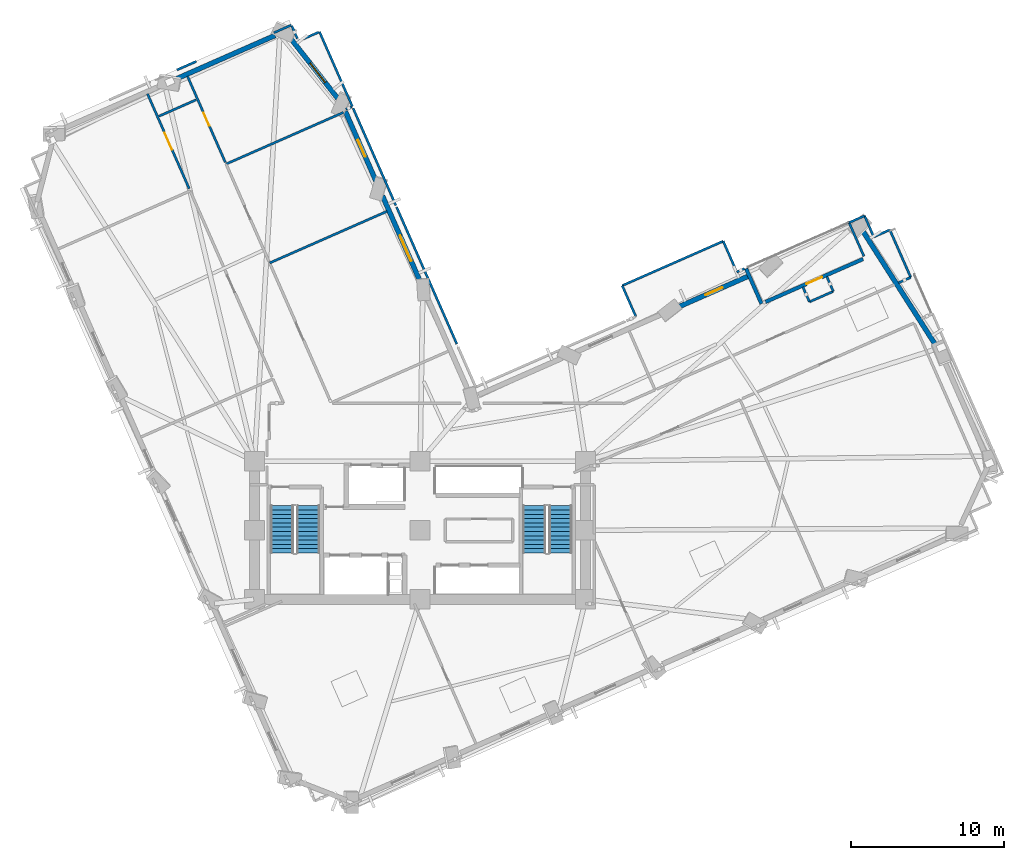
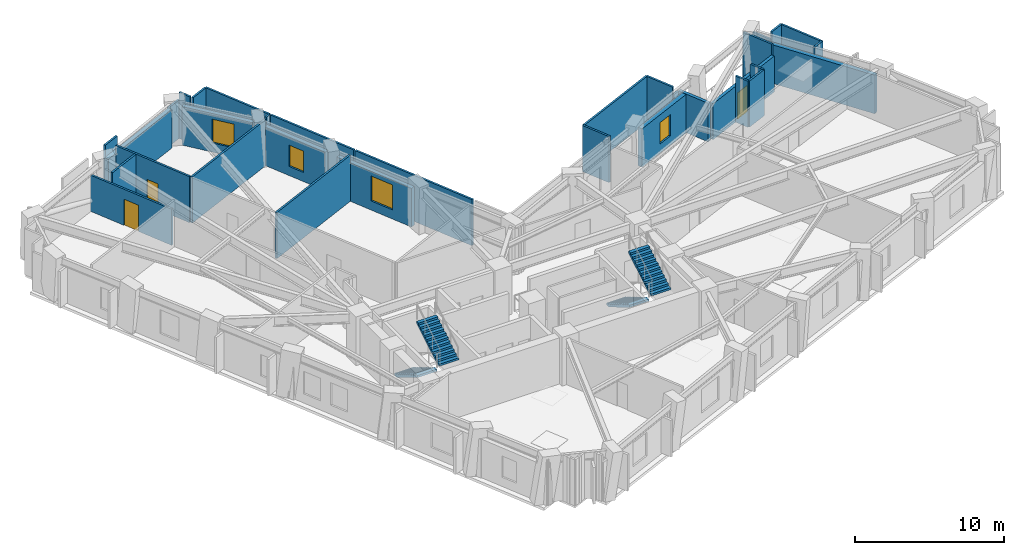
# One storey, part 10 of 15: 34 walls, 4 stair flights, 4 windows, 3 doors, 7 openings, 2 elements without a shape of their own.
"""IFC4 building model written with IfcOpenShell, lengths in metres."""

from ifc_helpers import new_model, si_unit, direction, frame, frame_2d, origin, place, context, subcontext, project, spatial, polyline, rectangle, outline, extrude, material, layer, layer_set, type_object, element, fill, aggregate, save


model = new_model("IFC4")

# Units and contexts
model_context = context("Model", 3, precision=1e-05, world=origin(), true_north=direction((0.0, 1.0)))
body_context = subcontext(model_context, "Body", "Model", "MODEL_VIEW")
ifc_project = project(units=[si_unit("LENGTHUNIT", "METRE"), si_unit("AREAUNIT", "SQUARE_METRE"), si_unit("VOLUMEUNIT", "CUBIC_METRE"), si_unit("PLANEANGLEUNIT", "RADIAN"), si_unit("MASSUNIT", "GRAM", prefix="KILO")], contexts=[model_context])

# Site, building, storey
site_placement = place(None, origin())
site = spatial("IfcSite", under=ifc_project, at=site_placement, CompositionType="ELEMENT")
building_placement = place(site_placement, origin())
building = spatial("IfcBuilding", under=site, at=building_placement, Name="Gaonmaruhae Medical Tower", CompositionType="ELEMENT")
storey_placement = place(building_placement, frame((0.0, 0.0, 124.39990234375)))
storey = spatial("IfcBuildingStorey", under=building, at=storey_placement, Name="L29", CompositionType="ELEMENT", Elevation=124.39990234375)

# Wall, opening, door
ifc_material_1 = material(Name="Precast concrete C45/55", Category="concrete")
ifc_layer_1 = layer(ifc_material_1, 0.239990234375)
ifc_layer_set_1 = layer_set([ifc_layer_1], Name="Precast concrete C45/55")
wall_type_1 = type_object("IfcWallType", Name="EW-240 Ribbon & Shelter Insulated Precast Wall", PredefinedType="SOLIDWALL", material=ifc_layer_set_1)
wall_1_placement = place(storey_placement, frame((47.3203125, 27.18798828125, 0.0), z_axis=(0.0, 0.0, 1.0), x_axis=(0.915306756623, 0.402757422378, 0.0)))
wall_1 = element("IfcWall", 1, at=wall_1_placement, inside=storey, type_object=wall_type_1, Name="L29 Recessed Terrace Enclosure Wall TERB", PredefinedType="SOLIDWALL", context=body_context, shape_type="SweptSolid", body=[
    extrude(rectangle(XDim=6.9599609375, YDim=0.239990234375, at=frame_2d((3.47998046875, 0.0))), origin(), (0.0, 0.0, 1.0), 2.945068359375),
])
opening_1_placement = place(wall_1_placement, frame((2.929931640625, 0.0, 0.0)))
opening_1 = element("IfcOpeningElement", 2, at=opening_1_placement, cuts=wall_1, Name="Opening TD-01", PredefinedType="OPENING", context=body_context, shape_type="SweptSolid", body=[
    extrude(rectangle(XDim=1.10009765625, YDim=2.14990234375, at=frame_2d((0.550048828125, 1.074951171875))), frame((0.0, 0.1298828125, 0.0), z_axis=(0.0, -1.0, 0.0), x_axis=(1.0, 0.0, 0.0)), (0.0, 0.0, 1.0), 0.260009765625),
])
ifc_material_2 = material(Name="Anodised aluminium and toughened safety glass", Category="aluminium")
door_type_1 = type_object("IfcDoorType", Name="TD-01 Terrace & Sky Garden Glazed Door 1100x2150", OperationType="NOTDEFINED", PredefinedType="DOOR", material=ifc_material_2)
door_1_placement = place(opening_1_placement, origin())
door_1 = element("IfcDoor", 3, at=door_1_placement, inside=storey, type_object=door_type_1, Name="L29 Outdoor Terrace Access Door SLB-L29-TER", OperationType="SINGLE_SWING_LEFT", OverallHeight=2.14990234375, OverallWidth=1.10009765625, PredefinedType="DOOR", context=body_context, shape_type="SweptSolid", body=[
    extrude(rectangle(XDim=1.10009765625, YDim=2.14990234375, at=frame_2d((0.550048828125, 1.074951171875))), frame((0.0, 0.02490234375, 0.0), z_axis=(0.0, -1.0, 0.0), x_axis=(1.0, 0.0, 0.0)), (0.0, 0.0, 1.0), 0.050048828125),
])
fill(opening_1, door_1)

# Walls
wall_2_placement = place(storey_placement, frame((46.056884765625, 29.363525390625, 0.0), z_axis=(0.0, 0.0, 1.0), x_axis=(0.402810607767, -0.915283351903, 0.0)))
element("IfcWall", 4, at=wall_2_placement, inside=storey, type_object=wall_type_1, Name="L29 Recessed Terrace Enclosure Wall TERL", PredefinedType="SOLIDWALL", context=body_context, shape_type="SweptSolid", body=[
    extrude(rectangle(XDim=2.500244140625, YDim=0.239990234375, at=frame_2d((1.25, 0.0))), origin(), (0.0, 0.0, 1.0), 3.1650390625),
])
ifc_layer_2 = layer(ifc_material_1, 0.320068359375)
ifc_layer_set_2 = layer_set([ifc_layer_2], Name="Precast concrete C45/55")
wall_type_2 = type_object("IfcWallType", Name="EW-320 Lower Precast Masonry-Frame Facade Wall", PredefinedType="SOLIDWALL", material=ifc_layer_set_2)
wall_3_placement = place(storey_placement, frame((53.67626953125, 31.81005859375, 0.0), z_axis=(0.0, 0.0, 1.0), x_axis=(0.537911832646, -0.84300110338, 0.0)))
element("IfcWall", 5, at=wall_3_placement, inside=storey, type_object=wall_type_2, Name="L29 Precast Masonry-Frame Wall E02-E03", PredefinedType="SOLIDWALL", context=body_context, shape_type="SweptSolid", body=[
    extrude(rectangle(XDim=8.837646484375, YDim=0.320068359375, at=frame_2d((4.4189453125, 0.0))), origin(), (0.0, 0.0, 1.0), 3.1650390625),
])

# Wall, opening, window
wall_4_placement = place(storey_placement, frame((41.560302734375, 26.82763671875, 0.0), z_axis=(0.0, 0.0, 1.0), x_axis=(0.915304479766, 0.402762596726, 0.0)))
wall_4 = element("IfcWall", 6, at=wall_4_placement, inside=storey, type_object=wall_type_2, Name="L29 Precast Masonry-Frame Wall EN01-EN02", PredefinedType="SOLIDWALL", context=body_context, shape_type="SweptSolid", body=[
    extrude(rectangle(XDim=5.1171875, YDim=0.320068359375, at=frame_2d((2.55859375, 0.0))), origin(), (0.0, 0.0, 1.0), 3.14501953125),
])
opening_2_placement = place(wall_4_placement, frame((2.034423828125, 0.0, 0.75)))
opening_2 = element("IfcOpeningElement", 7, at=opening_2_placement, cuts=wall_4, Name="Opening WN-05", PredefinedType="OPENING", context=body_context, shape_type="SweptSolid", body=[
    extrude(rectangle(XDim=1.199951171875, YDim=1.75, at=frame_2d((0.60009765625, 0.875))), frame((0.0, 0.169921875, 0.0), z_axis=(0.0, -1.0, 0.0), x_axis=(1.0, 0.0, 0.0)), (0.0, 0.0, 1.0), 0.340087890625),
])
ifc_material_3 = material(Name="Anodised aluminium and Low-E double glazing", Category="aluminium")
window_type_1 = type_object("IfcWindowType", Name="WN-05 Support & Staff Punched Window 1200x1750", PartitioningType="SINGLE_PANEL", PredefinedType="WINDOW", material=ifc_material_3)
window_1_placement = place(opening_2_placement, origin())
window_1 = element("IfcWindow", 8, at=window_1_placement, inside=storey, type_object=window_type_1, Name="L29 Modular Facade Window EN01", OverallHeight=1.75, OverallWidth=1.199951171875, PartitioningType="SINGLE_PANEL", PredefinedType="WINDOW", context=body_context, shape_type="SweptSolid", body=[
    extrude(rectangle(XDim=1.199951171875, YDim=1.75, at=frame_2d((0.60009765625, 0.875))), frame((0.0, 0.030029296875, 0.0), z_axis=(0.0, -1.0, 0.0), x_axis=(1.0, 0.0, 0.0)), (0.0, 0.0, 1.0), 0.06005859375),
])
fill(opening_2, window_1)

wall_5_placement = place(storey_placement, frame((22.34423828125, 34.1171875, 0.0), z_axis=(0.0, 0.0, 1.0), x_axis=(0.402732040275, -0.915317924951, 0.0)))
wall_5 = element("IfcWall", 9, at=wall_5_placement, inside=storey, type_object=wall_type_2, Name="L29 Precast Masonry-Frame Wall NE01-NE02", PredefinedType="SOLIDWALL", context=body_context, shape_type="SweptSolid", body=[
    extrude(rectangle(XDim=6.22265625, YDim=0.320068359375, at=frame_2d((3.111328125, 0.0))), origin(), (0.0, 0.0, 1.0), 3.1650390625),
])
opening_3_placement = place(wall_5_placement, frame((2.84130859375, 0.0, 0.75)))
opening_3 = element("IfcOpeningElement", 10, at=opening_3_placement, cuts=wall_5, Name="Opening WN-04", PredefinedType="OPENING", context=body_context, shape_type="SweptSolid", body=[
    extrude(rectangle(XDim=1.800048828125, YDim=2.050048828125, at=frame_2d((0.89990234375, 1.02490234375))), frame((0.0, 0.169921875, 0.0), z_axis=(0.0, -1.0, 0.0), x_axis=(1.0, 0.0, 0.0)), (0.0, 0.0, 1.0), 0.340087890625),
])
window_type_2 = type_object("IfcWindowType", Name="WN-04 Clinic & Consult Punched Window 1800x2050", PartitioningType="SINGLE_PANEL", PredefinedType="WINDOW", material=ifc_material_3)
window_2_placement = place(opening_3_placement, origin())
window_2 = element("IfcWindow", 11, at=window_2_placement, inside=storey, type_object=window_type_2, Name="L29 Modular Facade Window NE01", OverallHeight=2.050048828125, OverallWidth=1.800048828125, PartitioningType="SINGLE_PANEL", PredefinedType="WINDOW", context=body_context, shape_type="SweptSolid", body=[
    extrude(rectangle(XDim=1.800048828125, YDim=2.050048828125, at=frame_2d((0.89990234375, 1.02490234375))), frame((0.0, 0.030029296875, 0.0), z_axis=(0.0, -1.0, 0.0), x_axis=(1.0, 0.0, 0.0)), (0.0, 0.0, 1.0), 0.06005859375),
])
fill(opening_3, window_2)

wall_6_placement = place(storey_placement, frame((19.922119140625, 39.621826171875, 0.0), z_axis=(0.0, 0.0, 1.0), x_axis=(0.402751582793, -0.915309326161, 0.0)))
wall_6 = element("IfcWall", 12, at=wall_6_placement, inside=storey, type_object=wall_type_2, Name="L29 Precast Masonry-Frame Wall NE02-NE03", PredefinedType="SOLIDWALL", context=body_context, shape_type="SweptSolid", body=[
    extrude(rectangle(XDim=5.047119140625, YDim=0.320068359375, at=frame_2d((2.5234375, 0.0))), origin(), (0.0, 0.0, 1.0), 3.1650390625),
])
opening_4_placement = place(wall_6_placement, frame((2.033203125, 0.0, 0.75)))
opening_4 = element("IfcOpeningElement", 13, at=opening_4_placement, cuts=wall_6, Name="Opening WN-05", PredefinedType="OPENING", context=body_context, shape_type="SweptSolid", body=[
    extrude(rectangle(XDim=1.199951171875, YDim=1.75, at=frame_2d((0.60009765625, 0.875))), frame((0.0, 0.169921875, 0.0), z_axis=(0.0, -1.0, 0.0), x_axis=(1.0, 0.0, 0.0)), (0.0, 0.0, 1.0), 0.340087890625),
])
window_3_placement = place(opening_4_placement, origin())
window_3 = element("IfcWindow", 14, at=window_3_placement, inside=storey, type_object=window_type_1, Name="L29 Modular Facade Window NE02", OverallHeight=1.75, OverallWidth=1.199951171875, PartitioningType="SINGLE_PANEL", PredefinedType="WINDOW", context=body_context, shape_type="SweptSolid", body=[
    extrude(rectangle(XDim=1.199951171875, YDim=1.75, at=frame_2d((0.60009765625, 0.875))), frame((0.0, 0.030029296875, 0.0), z_axis=(0.0, -1.0, 0.0), x_axis=(1.0, 0.0, 0.0)), (0.0, 0.0, 1.0), 0.06005859375),
])
fill(opening_4, window_3)

wall_7_placement = place(storey_placement, frame((16.264892578125, 44.491943359375, 0.0), z_axis=(0.0, 0.0, 1.0), x_axis=(0.617487208396, -0.78658092239, 0.0)))
wall_7 = element("IfcWall", 15, at=wall_7_placement, inside=storey, type_object=wall_type_2, Name="L29 Precast Masonry-Frame Wall NE03-N01", PredefinedType="SOLIDWALL", context=body_context, shape_type="SweptSolid", body=[
    extrude(rectangle(XDim=5.12841796875, YDim=0.320068359375, at=frame_2d((2.564208984375, 0.0))), origin(), (0.0, 0.0, 1.0), 3.1650390625),
])
opening_5_placement = place(wall_7_placement, frame((2.193359375, 0.0, 0.75)))
opening_5 = element("IfcOpeningElement", 16, at=opening_5_placement, cuts=wall_7, Name="Opening WN-01", PredefinedType="OPENING", context=body_context, shape_type="SweptSolid", body=[
    extrude(rectangle(XDim=1.60009765625, YDim=1.949951171875, at=frame_2d((0.800048828125, 0.97509765625))), frame((0.0, 0.169921875, 0.0), z_axis=(0.0, -1.0, 0.0), x_axis=(1.0, 0.0, 0.0)), (0.0, 0.0, 1.0), 0.340087890625),
])
window_type_3 = type_object("IfcWindowType", Name="WN-01 Ward Punched Acoustic Window 1600x1950", PartitioningType="SINGLE_PANEL", PredefinedType="WINDOW", material=ifc_material_3)
window_4_placement = place(opening_5_placement, origin())
window_4 = element("IfcWindow", 17, at=window_4_placement, inside=storey, type_object=window_type_3, Name="L29 Modular Facade Window NE03", OverallHeight=1.949951171875, OverallWidth=1.60009765625, PartitioningType="SINGLE_PANEL", PredefinedType="WINDOW", context=body_context, shape_type="SweptSolid", body=[
    extrude(rectangle(XDim=1.60009765625, YDim=1.949951171875, at=frame_2d((0.800048828125, 0.97509765625))), frame((0.0, 0.030029296875, 0.0), z_axis=(0.0, -1.0, 0.0), x_axis=(1.0, 0.0, 0.0)), (0.0, 0.0, 1.0), 0.06005859375),
])
fill(opening_5, window_4)

# Wall
wall_8_placement = place(storey_placement, frame((8.720947265625, 41.65771484375, 0.0), z_axis=(0.0, 0.0, 1.0), x_axis=(0.915314534558, 0.402739745775, 0.0)))
element("IfcWall", 18, at=wall_8_placement, inside=storey, type_object=wall_type_2, Name="L29 Precast Masonry-Frame Wall N01-N02", PredefinedType="SOLIDWALL", context=body_context, shape_type="SweptSolid", body=[
    extrude(rectangle(XDim=7.230712890625, YDim=0.320068359375, at=frame_2d((3.615234375, 0.0))), origin(), (0.0, 0.0, 1.0), 3.1650390625),
])

# Wall, opening, door
ifc_material_4 = material(Name="Gypsum board partition", Category="gypsum")
ifc_layer_3 = layer(ifc_material_4, 0.14990234375)
ifc_layer_set_3 = layer_set([ifc_layer_3], Name="Gypsum board partition")
wall_type_3 = type_object("IfcWallType", Name="PW-150 Rated Clinical Corridor Partition", PredefinedType="PARTITIONING", material=ifc_layer_set_3)
wall_9_placement = place(storey_placement, frame((7.02099609375, 40.761962890625, 0.0), z_axis=(0.0, 0.0, 1.0), x_axis=(0.402678050721, -0.915341677991, 0.0)))
wall_9 = element("IfcWall", 19, at=wall_9_placement, inside=storey, type_object=wall_type_3, Name="L29 Interior Partition L29-WOF07-51", PredefinedType="PARTITIONING", context=body_context, shape_type="SweptSolid", body=[
    extrude(rectangle(XDim=6.754638671875, YDim=0.14990234375, at=frame_2d((3.37744140625, 0.0))), origin(), (0.0, 0.0, 1.0), 2.965087890625),
])
opening_6_placement = place(wall_9_placement, frame((2.77734375, 0.0, 0.0)))
opening_6 = element("IfcOpeningElement", 20, at=opening_6_placement, cuts=wall_9, Name="Opening CD-02", PredefinedType="OPENING", context=body_context, shape_type="SweptSolid", body=[
    extrude(rectangle(XDim=1.199951171875, YDim=2.14990234375, at=frame_2d((0.60009765625, 1.074951171875))), frame((0.0, 0.0849609375, 0.0), z_axis=(0.0, -1.0, 0.0), x_axis=(1.0, 0.0, 0.0)), (0.0, 0.0, 1.0), 0.169921875),
])
ifc_material_5 = material(Name="Antimicrobial laminate timber fire door", Category="wood")
door_type_2 = type_object("IfcDoorType", Name="CD-02 Clinical Treatment & Procedure Door 1200x2150", OperationType="NOTDEFINED", PredefinedType="DOOR", material=ifc_material_5)
door_2_placement = place(opening_6_placement, origin())
door_2 = element("IfcDoor", 21, at=door_2_placement, inside=storey, type_object=door_type_2, Name="L29 Ward Physician Reporting Office Door", OperationType="SINGLE_SWING_LEFT", OverallHeight=2.14990234375, OverallWidth=1.199951171875, PredefinedType="DOOR", context=body_context, shape_type="SweptSolid", body=[
    extrude(rectangle(XDim=1.199951171875, YDim=2.14990234375, at=frame_2d((0.60009765625, 1.074951171875))), frame((0.0, 0.02490234375, 0.0), z_axis=(0.0, -1.0, 0.0), x_axis=(1.0, 0.0, 0.0)), (0.0, 0.0, 1.0), 0.050048828125),
])
fill(opening_6, door_2)

# Walls
wall_10_placement = place(storey_placement, frame((44.569091796875, 31.156005859375, 0.0), z_axis=(0.0, 0.0, 1.0), x_axis=(0.40268655299, -0.915337937617, 0.0)))
element("IfcWall", 22, at=wall_10_placement, inside=storey, type_object=wall_type_3, Name="L29 Interior Partition L29-IE02-64", PredefinedType="PARTITIONING", context=body_context, shape_type="SweptSolid", body=[
    extrude(rectangle(XDim=2.2001953125, YDim=0.14990234375, at=frame_2d((1.10009765625, 0.0))), origin(), (0.0, 0.0, 1.0), 3.780029296875),
])
wall_11_placement = place(storey_placement, frame((45.455078125, 29.14208984375, 0.0), z_axis=(0.0, 0.0, 1.0), x_axis=(0.914735843539, 0.404052393317, 0.0)))
element("IfcWall", 23, at=wall_11_placement, inside=storey, type_object=wall_type_3, Name="L29 Interior Partition L29-IE02-65", PredefinedType="PARTITIONING", context=body_context, shape_type="SweptSolid", body=[
    extrude(rectangle(XDim=0.55419921875, YDim=0.14990234375, at=frame_2d((0.277099609375, 0.0))), origin(), (0.0, 0.0, 1.0), 3.14501953125),
])
wall_12_placement = place(storey_placement, frame((49.76611328125, 28.159912109375, 0.0), z_axis=(0.0, 0.0, 1.0), x_axis=(0.402955906801, -0.915219392918, 0.0)))
element("IfcWall", 24, at=wall_12_placement, inside=storey, type_object=wall_type_3, Name="L29 Interior Partition L29-IE02-66", PredefinedType="PARTITIONING", context=body_context, shape_type="SweptSolid", body=[
    extrude(rectangle(XDim=1.05419921875, YDim=0.14990234375, at=frame_2d((0.527099609375, 0.0))), origin(), (0.0, 0.0, 1.0), 3.780029296875),
])
wall_13_placement = place(storey_placement, frame((50.19091796875, 27.195068359375, 0.0), z_axis=(0.0, 0.0, 1.0), x_axis=(0.915503423678, 0.402310180377, 0.0)))
element("IfcWall", 25, at=wall_13_placement, inside=storey, type_object=wall_type_3, Name="L29 Interior Partition L29-IE02-67", PredefinedType="PARTITIONING", context=body_context, shape_type="SweptSolid", body=[
    extrude(rectangle(XDim=1.69970703125, YDim=0.14990234375, at=frame_2d((0.849853515625, 0.0))), origin(), (0.0, 0.0, 1.0), 3.780029296875),
])
wall_14_placement = place(storey_placement, frame((51.7470703125, 27.87890625, 0.0), z_axis=(0.0, 0.0, 1.0), x_axis=(-0.40272311038, 0.915321853976, 0.0)))
element("IfcWall", 26, at=wall_14_placement, inside=storey, type_object=wall_type_3, Name="L29 Interior Partition L29-IE02-68", PredefinedType="PARTITIONING", context=body_context, shape_type="SweptSolid", body=[
    extrude(rectangle(XDim=1.055419921875, YDim=0.14990234375, at=frame_2d((0.52783203125, 0.0))), origin(), (0.0, 0.0, 1.0), 3.780029296875),
])
wall_15_placement = place(storey_placement, frame((53.743896484375, 30.16796875, 0.0), z_axis=(0.0, 0.0, 1.0), x_axis=(-0.402585141552, 0.915382545061, 0.0)))
element("IfcWall", 27, at=wall_15_placement, inside=storey, type_object=wall_type_3, Name="L29 Interior Partition L29-IE02-69", PredefinedType="PARTITIONING", context=body_context, shape_type="SweptSolid", body=[
    extrude(rectangle(XDim=2.39892578125, YDim=0.14990234375, at=frame_2d((1.199462890625, 0.0))), origin(), (0.0, 0.0, 1.0), 3.780029296875),
])
wall_16_placement = place(storey_placement, frame((52.778076171875, 32.364013671875, 0.0), z_axis=(0.0, 0.0, 1.0), x_axis=(0.9152167395, 0.402961933362, 0.0)))
element("IfcWall", 28, at=wall_16_placement, inside=storey, type_object=wall_type_3, Name="L29 Interior Partition L29-IE02-70", PredefinedType="PARTITIONING", context=body_context, shape_type="SweptSolid", body=[
    extrude(rectangle(XDim=1.09912109375, YDim=0.14990234375, at=frame_2d((0.549560546875, 0.0))), origin(), (0.0, 0.0, 1.0), 2.945068359375),
])
wall_17_placement = place(storey_placement, frame((53.783935546875, 32.806884765625, 0.0), z_axis=(0.0, 0.0, 1.0), x_axis=(0.403267558241, -0.915082114605, 0.0)))
element("IfcWall", 29, at=wall_17_placement, inside=storey, type_object=wall_type_3, Name="L29 Interior Partition L29-IE02-71", PredefinedType="PARTITIONING", context=body_context, shape_type="SweptSolid", body=[
    extrude(rectangle(XDim=1.500244140625, YDim=0.14990234375, at=frame_2d((0.75, 0.0))), origin(), (0.0, 0.0, 1.0), 3.1650390625),
])
wall_18_placement = place(storey_placement, frame((54.388916015625, 31.43408203125, 0.0), z_axis=(0.0, 0.0, 1.0), x_axis=(0.914973625202, 0.403513649317, 0.0)))
element("IfcWall", 30, at=wall_18_placement, inside=storey, type_object=wall_type_3, Name="L29 Interior Partition L29-IE02-72", PredefinedType="PARTITIONING", context=body_context, shape_type="SweptSolid", body=[
    extrude(rectangle(XDim=1.139892578125, YDim=0.14990234375, at=frame_2d((0.56982421875, 0.0))), origin(), (0.0, 0.0, 1.0), 3.780029296875),
])
wall_19_placement = place(storey_placement, frame((55.431884765625, 31.89404296875, 0.0), z_axis=(0.0, 0.0, 1.0), x_axis=(0.402714480017, -0.915325651112, 0.0)))
element("IfcWall", 31, at=wall_19_placement, inside=storey, type_object=wall_type_3, Name="L29 Interior Partition L29-IE02-73", PredefinedType="PARTITIONING", context=body_context, shape_type="SweptSolid", body=[
    extrude(rectangle(XDim=3.39013671875, YDim=0.14990234375, at=frame_2d((1.695068359375, 0.0))), origin(), (0.0, 0.0, 1.0), 3.780029296875),
])
wall_20_placement = place(storey_placement, frame((56.797119140625, 28.791015625, 0.0), z_axis=(0.0, 0.0, 1.0), x_axis=(-0.915380344353, -0.402590145399, 0.0)))
element("IfcWall", 32, at=wall_20_placement, inside=storey, type_object=wall_type_3, Name="L29 Interior Partition L29-IE02-74", PredefinedType="PARTITIONING", context=body_context, shape_type="SweptSolid", body=[
    extrude(rectangle(XDim=0.8818359375, YDim=0.14990234375, at=frame_2d((0.44091796875, 0.0))), origin(), (0.0, 0.0, 1.0), 3.780029296875),
])
wall_21_placement = place(storey_placement, frame((38.864990234375, 26.242919921875, 0.0), z_axis=(0.0, 0.0, 1.0), x_axis=(-0.402809288305, 0.915283932589, 0.0)))
element("IfcWall", 33, at=wall_21_placement, inside=storey, type_object=wall_type_3, Name="L29 Interior Partition L29-IE02-77", PredefinedType="PARTITIONING", context=body_context, shape_type="SweptSolid", body=[
    extrude(rectangle(XDim=2.199462890625, YDim=0.14990234375, at=frame_2d((1.099609375, 0.0))), origin(), (0.0, 0.0, 1.0), 3.780029296875),
])
wall_22_placement = place(storey_placement, frame((37.97900390625, 28.256103515625, 0.0), z_axis=(0.0, 0.0, 1.0), x_axis=(0.915301532005, 0.402769295638, 0.0)))
element("IfcWall", 34, at=wall_22_placement, inside=storey, type_object=wall_type_3, Name="L29 Interior Partition L29-IE02-78", PredefinedType="PARTITIONING", context=body_context, shape_type="SweptSolid", body=[
    extrude(rectangle(XDim=7.199951171875, YDim=0.14990234375, at=frame_2d((3.60009765625, 0.0))), origin(), (0.0, 0.0, 1.0), 3.780029296875),
])
wall_23_placement = place(storey_placement, frame((14.988037109375, 29.73193359375, 0.0), z_axis=(0.0, 0.0, 1.0), x_axis=(0.915336120767, 0.402690682806, 0.0)))
element("IfcWall", 35, at=wall_23_placement, inside=storey, type_object=wall_type_3, Name="L29 Interior Partition L29-IN01-80", PredefinedType="PARTITIONING", context=body_context, shape_type="SweptSolid", body=[
    extrude(rectangle(XDim=8.3642578125, YDim=0.14990234375, at=frame_2d((4.18212890625, 0.0))), origin(), (0.0, 0.0, 1.0), 3.780029296875),
])
wall_24_placement = place(storey_placement, frame((23.27099609375, 33.3759765625, 0.0), z_axis=(0.0, 0.0, 1.0), x_axis=(0.402773858413, -0.915299524188, 0.0)))
element("IfcWall", 36, at=wall_24_placement, inside=storey, type_object=wall_type_3, Name="L29 Interior Partition L29-IN01-81", PredefinedType="PARTITIONING", context=body_context, shape_type="SweptSolid", body=[
    extrude(rectangle(XDim=9.75, YDim=0.14990234375, at=frame_2d((4.875, 0.0))), origin(), (0.0, 0.0, 1.0), 3.780029296875),
])
wall_25_placement = place(storey_placement, frame((12.14794921875, 36.18408203125, 0.0), z_axis=(0.0, 0.0, 1.0), x_axis=(0.915322778352, 0.402721009421, 0.0)))
element("IfcWall", 37, at=wall_25_placement, inside=storey, type_object=wall_type_3, Name="L29 Interior Partition L29-IN02-83", PredefinedType="PARTITIONING", context=body_context, shape_type="SweptSolid", body=[
    extrude(rectangle(XDim=8.365234375, YDim=0.14990234375, at=frame_2d((4.1826171875, 0.0))), origin(), (0.0, 0.0, 1.0), 3.780029296875),
])
wall_26_placement = place(storey_placement, frame((20.431884765625, 39.8291015625, 0.0), z_axis=(0.0, 0.0, 1.0), x_axis=(0.402749239906, -0.915310357068, 0.0)))
element("IfcWall", 38, at=wall_26_placement, inside=storey, type_object=wall_type_3, Name="L29 Interior Partition L29-IN02-84", PredefinedType="PARTITIONING", context=body_context, shape_type="SweptSolid", body=[
    extrude(rectangle(XDim=6.929931640625, YDim=0.14990234375, at=frame_2d((3.46484375, 0.0))), origin(), (0.0, 0.0, 1.0), 3.780029296875),
])
wall_27_placement = place(storey_placement, frame((18.240966796875, 44.80908203125, 0.0), z_axis=(0.0, 0.0, 1.0), x_axis=(0.402618663072, -0.915367801567, 0.0)))
element("IfcWall", 39, at=wall_27_placement, inside=storey, type_object=wall_type_3, Name="L29 Interior Partition L29-IN03-85", PredefinedType="PARTITIONING", context=body_context, shape_type="SweptSolid", body=[
    extrude(rectangle(XDim=5.3203125, YDim=0.14990234375, at=frame_2d((2.66015625, 0.0))), origin(), (0.0, 0.0, 1.0), 3.780029296875),
])
wall_28_placement = place(storey_placement, frame((20.3369140625, 39.9189453125, 0.0), z_axis=(0.0, 0.0, 1.0), x_axis=(-0.915071434619, -0.403291792062, 0.0)))
element("IfcWall", 40, at=wall_28_placement, inside=storey, type_object=wall_type_3, Name="L29 Interior Partition L29-IN03-86", PredefinedType="PARTITIONING", context=body_context, shape_type="SweptSolid", body=[
    extrude(rectangle(XDim=0.4140625, YDim=0.14990234375, at=frame_2d((0.20703125, 0.0))), origin(), (0.0, 0.0, 1.0), 3.780029296875),
])

# Wall, opening, door
wall_29_placement = place(storey_placement, frame((12.10009765625, 36.2939453125, 0.0), z_axis=(0.0, 0.0, 1.0), x_axis=(-0.402761283097, 0.915305057802, 0.0)))
wall_29 = element("IfcWall", 41, at=wall_29_placement, inside=storey, type_object=wall_type_3, Name="L29 Interior Partition L29-IN03-87", PredefinedType="PARTITIONING", context=body_context, shape_type="SweptSolid", body=[
    extrude(rectangle(XDim=6.1357421875, YDim=0.14990234375, at=frame_2d((3.06787109375, 0.0))), origin(), (0.0, 0.0, 1.0), 3.780029296875),
])
opening_7_placement = place(wall_29_placement, frame((2.60791015625, 0.0, 0.0)))
opening_7 = element("IfcOpeningElement", 42, at=opening_7_placement, cuts=wall_29, Name="Opening UD-01", PredefinedType="OPENING", context=body_context, shape_type="SweptSolid", body=[
    extrude(rectangle(XDim=0.919921875, YDim=2.10009765625, at=frame_2d((0.4599609375, 1.050048828125))), frame((0.0, 0.0849609375, 0.0), z_axis=(0.0, -1.0, 0.0), x_axis=(1.0, 0.0, 0.0)), (0.0, 0.0, 1.0), 0.169921875),
])
ifc_material_6 = material(Name="Powder-coated steel utility door", Category="steel")
door_type_3 = type_object("IfcDoorType", Name="UD-01 Toilet, Utility & Housekeeping Door 920x2100", OperationType="NOTDEFINED", PredefinedType="DOOR", material=ifc_material_6)
door_3_placement = place(opening_7_placement, origin())
door_3 = element("IfcDoor", 43, at=door_3_placement, inside=storey, type_object=door_type_3, Name="L29 Public Visitor Toilet Door", OperationType="SINGLE_SWING_RIGHT", OverallHeight=2.10009765625, OverallWidth=0.919921875, PredefinedType="DOOR", context=body_context, shape_type="SweptSolid", body=[
    extrude(rectangle(XDim=0.919921875, YDim=2.10009765625, at=frame_2d((0.4599609375, 1.050048828125))), frame((0.0, 0.02490234375, 0.0), z_axis=(0.0, -1.0, 0.0), x_axis=(1.0, 0.0, 0.0)), (0.0, 0.0, 1.0), 0.050048828125),
])
fill(opening_7, door_3)

# Walls
wall_30_placement = place(storey_placement, frame((15.262939453125, 44.743896484375, 0.0), z_axis=(0.0, 0.0, 1.0), x_axis=(0.915340908858, 0.402679799061, 0.0)))
element("IfcWall", 44, at=wall_30_placement, inside=storey, type_object=wall_type_3, Name="L29 Interior Partition L29-IN03-88", PredefinedType="PARTITIONING", context=body_context, shape_type="SweptSolid", body=[
    extrude(rectangle(XDim=1.251953125, YDim=0.14990234375, at=frame_2d((0.6259765625, 0.0))), origin(), (0.0, 0.0, 1.0), 3.1650390625),
])
wall_31_placement = place(storey_placement, frame((16.428955078125, 45.201904296875, 0.0), z_axis=(0.0, 0.0, 1.0), x_axis=(0.403666428582, -0.914906232592, 0.0)))
element("IfcWall", 45, at=wall_31_placement, inside=storey, type_object=wall_type_3, Name="L29 Interior Partition L29-IN03-89", PredefinedType="PARTITIONING", context=body_context, shape_type="SweptSolid", body=[
    extrude(rectangle(XDim=0.9169921875, YDim=0.14990234375, at=frame_2d((0.45849609375, 0.0))), origin(), (0.0, 0.0, 1.0), 3.780029296875),
])
wall_32_placement = place(storey_placement, frame((16.867919921875, 44.205078125, 0.0), z_axis=(0.0, 0.0, 1.0), x_axis=(0.915305100978, 0.402761184978, 0.0)))
element("IfcWall", 46, at=wall_32_placement, inside=storey, type_object=wall_type_3, Name="L29 Interior Partition L29-IN03-90", PredefinedType="PARTITIONING", context=body_context, shape_type="SweptSolid", body=[
    extrude(rectangle(XDim=1.449951171875, YDim=0.14990234375, at=frame_2d((0.72509765625, 0.0))), origin(), (0.0, 0.0, 1.0), 3.780029296875),
])
wall_33_placement = place(storey_placement, frame((8.944091796875, 42.323974609375, 0.0), z_axis=(0.0, 0.0, 1.0), x_axis=(0.915257627684, 0.402869054366, 0.0)))
element("IfcWall", 47, at=wall_33_placement, inside=storey, type_object=wall_type_3, Name="L29 Interior Partition L29-RM01-92", PredefinedType="PARTITIONING", context=body_context, shape_type="SweptSolid", body=[
    extrude(rectangle(XDim=1.3798828125, YDim=0.14990234375, at=frame_2d((0.68994140625, 0.0))), origin(), (0.0, 0.0, 1.0), 3.780029296875),
])
wall_34_placement = place(storey_placement, frame((10.196044921875, 40.373046875, 0.0), z_axis=(0.0, 0.0, 1.0), x_axis=(-0.914961637512, -0.403540830501, 0.0)))
element("IfcWall", 48, at=wall_34_placement, inside=storey, type_object=wall_type_3, Name="L29 Interior Partition L29-RM01-93", PredefinedType="PARTITIONING", context=body_context, shape_type="SweptSolid", body=[
    extrude(rectangle(XDim=2.661376953125, YDim=0.14990234375, at=frame_2d((1.33056640625, 0.0))), origin(), (0.0, 0.0, 1.0), 3.780029296875),
])

# Stair, stair flights
ifc_material_7 = material(Name="Concrete C40/50", Category="concrete")
stair_type = type_object("IfcStairType", Name="ST-T1 Primary Core Escape Dogleg Stair", PredefinedType="TWO_QUARTER_TURN_STAIR", material=ifc_material_7)
stair_1_placement = place(storey_placement, origin())
stair_1 = element("IfcStair", 49, at=stair_1_placement, inside=storey, type_object=stair_type, Name="L29 Protected Escape Stair ST-01", PredefinedType="TWO_QUARTER_TURN_STAIR")
stair_flight_type = type_object("IfcStairFlightType", Name="SF-T1 Primary Core Precast Stair Flight", PredefinedType="STRAIGHT", material=ifc_material_7)
stair_flight_1_placement = place(storey_placement, frame((15.800048828125, 13.89990234375, 0.0), z_axis=(0.0, 0.0, 1.0), x_axis=(0.0, -1.0, 0.0)))
stair_flight_1 = element("IfcStairFlight", 50, at=stair_flight_1_placement, type_object=stair_flight_type, Name="ST-01 flight 1", NumberOfRisers=12, NumberOfTreads=11, PredefinedType="STRAIGHT", RiserHeight=0.166666667, TreadLength=0.28, context=body_context, shape_type="SweptSolid", body=[
    extrude(outline(polyline([(0.0, 0.0), (0.0, 0.166748046875), (0.280029296875, 0.166748046875), (0.280029296875, 0.333251953125), (0.56005859375, 0.333251953125), (0.56005859375, 0.5), (0.840087890625, 0.5), (0.840087890625, 0.666748046875), (1.1201171875, 0.666748046875), (1.1201171875, 0.833251953125), (1.39990234375, 0.833251953125), (1.39990234375, 1.0), (1.679931640625, 1.0), (1.679931640625, 1.166748046875), (1.9599609375, 1.166748046875), (1.9599609375, 1.333251953125), (2.239990234375, 1.333251953125), (2.239990234375, 1.5), (2.52001953125, 1.5), (2.52001953125, 1.666748046875), (2.800048828125, 1.666748046875), (2.800048828125, 1.833251953125), (3.080078125, 1.833251953125), (3.080078125, 2.0), (3.080078125, 1.658935546875), (0.29296875, 0.0), (0.0, 0.0)])), frame((0.0, 0.75, 0.0), z_axis=(0.0, -1.0, 0.0), x_axis=(1.0, 0.0, 0.0)), (0.0, 0.0, 1.0), 1.5),
])
stair_flight_2_placement = place(storey_placement, frame((17.5, 10.820068359375, 2.0), z_axis=(0.0, 0.0, 1.0), x_axis=(0.0, 1.0, 0.0)))
stair_flight_2 = element("IfcStairFlight", 51, at=stair_flight_2_placement, type_object=stair_flight_type, Name="ST-01 flight 2", NumberOfRisers=12, NumberOfTreads=11, PredefinedType="STRAIGHT", RiserHeight=0.166666667, TreadLength=0.28, context=body_context, shape_type="SweptSolid", body=[
    extrude(outline(polyline([(0.0, 0.0), (0.0, 0.166748046875), (0.280029296875, 0.166748046875), (0.280029296875, 0.333251953125), (0.56005859375, 0.333251953125), (0.56005859375, 0.5), (0.840087890625, 0.5), (0.840087890625, 0.666748046875), (1.1201171875, 0.666748046875), (1.1201171875, 0.833251953125), (1.39990234375, 0.833251953125), (1.39990234375, 1.0), (1.679931640625, 1.0), (1.679931640625, 1.166748046875), (1.9599609375, 1.166748046875), (1.9599609375, 1.333251953125), (2.239990234375, 1.333251953125), (2.239990234375, 1.5), (2.52001953125, 1.5), (2.52001953125, 1.666748046875), (2.800048828125, 1.666748046875), (2.800048828125, 1.833251953125), (3.080078125, 1.833251953125), (3.080078125, 2.0), (3.080078125, 1.658935546875), (0.29296875, 0.0), (0.0, 0.0)])), frame((0.0, 0.75, 0.0), z_axis=(0.0, -1.0, 0.0), x_axis=(1.0, 0.0, 0.0)), (0.0, 0.0, 1.0), 1.5),
])
aggregate(stair_1, [stair_flight_1, stair_flight_2])

stair_2_placement = place(storey_placement, origin())
stair_2 = element("IfcStair", 52, at=stair_2_placement, inside=storey, type_object=stair_type, Name="L29 Protected Escape Stair ST-02", PredefinedType="TWO_QUARTER_TURN_STAIR")
stair_flight_3_placement = place(storey_placement, frame((32.25, 13.89990234375, 0.0), z_axis=(0.0, 0.0, 1.0), x_axis=(0.0, -1.0, 0.0)))
stair_flight_3 = element("IfcStairFlight", 53, at=stair_flight_3_placement, type_object=stair_flight_type, Name="ST-02 flight 1", NumberOfRisers=12, NumberOfTreads=11, PredefinedType="STRAIGHT", RiserHeight=0.166666667, TreadLength=0.28, context=body_context, shape_type="SweptSolid", body=[
    extrude(outline(polyline([(0.0, 0.0), (0.0, 0.166748046875), (0.280029296875, 0.166748046875), (0.280029296875, 0.333251953125), (0.56005859375, 0.333251953125), (0.56005859375, 0.5), (0.840087890625, 0.5), (0.840087890625, 0.666748046875), (1.1201171875, 0.666748046875), (1.1201171875, 0.833251953125), (1.39990234375, 0.833251953125), (1.39990234375, 1.0), (1.679931640625, 1.0), (1.679931640625, 1.166748046875), (1.9599609375, 1.166748046875), (1.9599609375, 1.333251953125), (2.239990234375, 1.333251953125), (2.239990234375, 1.5), (2.52001953125, 1.5), (2.52001953125, 1.666748046875), (2.800048828125, 1.666748046875), (2.800048828125, 1.833251953125), (3.080078125, 1.833251953125), (3.080078125, 2.0), (3.080078125, 1.658935546875), (0.29296875, 0.0), (0.0, 0.0)])), frame((0.0, 0.75, 0.0), z_axis=(0.0, -1.0, 0.0), x_axis=(1.0, 0.0, 0.0)), (0.0, 0.0, 1.0), 1.5),
])
stair_flight_4_placement = place(storey_placement, frame((33.949951171875, 10.820068359375, 2.0), z_axis=(0.0, 0.0, 1.0), x_axis=(0.0, 1.0, 0.0)))
stair_flight_4 = element("IfcStairFlight", 54, at=stair_flight_4_placement, type_object=stair_flight_type, Name="ST-02 flight 2", NumberOfRisers=12, NumberOfTreads=11, PredefinedType="STRAIGHT", RiserHeight=0.166666667, TreadLength=0.28, context=body_context, shape_type="SweptSolid", body=[
    extrude(outline(polyline([(0.0, 0.0), (0.0, 0.166748046875), (0.280029296875, 0.166748046875), (0.280029296875, 0.333251953125), (0.56005859375, 0.333251953125), (0.56005859375, 0.5), (0.840087890625, 0.5), (0.840087890625, 0.666748046875), (1.1201171875, 0.666748046875), (1.1201171875, 0.833251953125), (1.39990234375, 0.833251953125), (1.39990234375, 1.0), (1.679931640625, 1.0), (1.679931640625, 1.166748046875), (1.9599609375, 1.166748046875), (1.9599609375, 1.333251953125), (2.239990234375, 1.333251953125), (2.239990234375, 1.5), (2.52001953125, 1.5), (2.52001953125, 1.666748046875), (2.800048828125, 1.666748046875), (2.800048828125, 1.833251953125), (3.080078125, 1.833251953125), (3.080078125, 2.0), (3.080078125, 1.658935546875), (0.29296875, 0.0), (0.0, 0.0)])), frame((0.0, 0.75, 0.0), z_axis=(0.0, -1.0, 0.0), x_axis=(1.0, 0.0, 0.0)), (0.0, 0.0, 1.0), 1.5),
])
aggregate(stair_2, [stair_flight_3, stair_flight_4])

save(model, "model.ifc")
